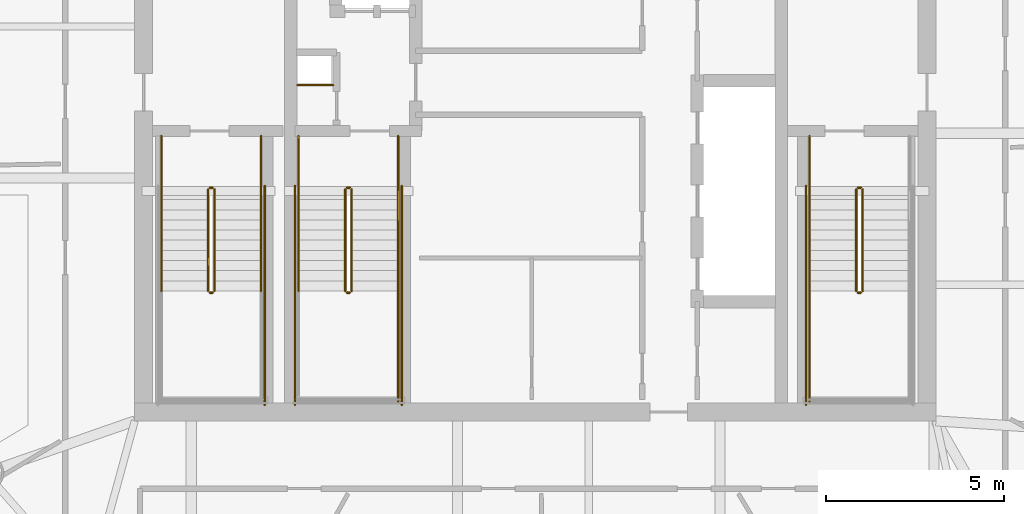
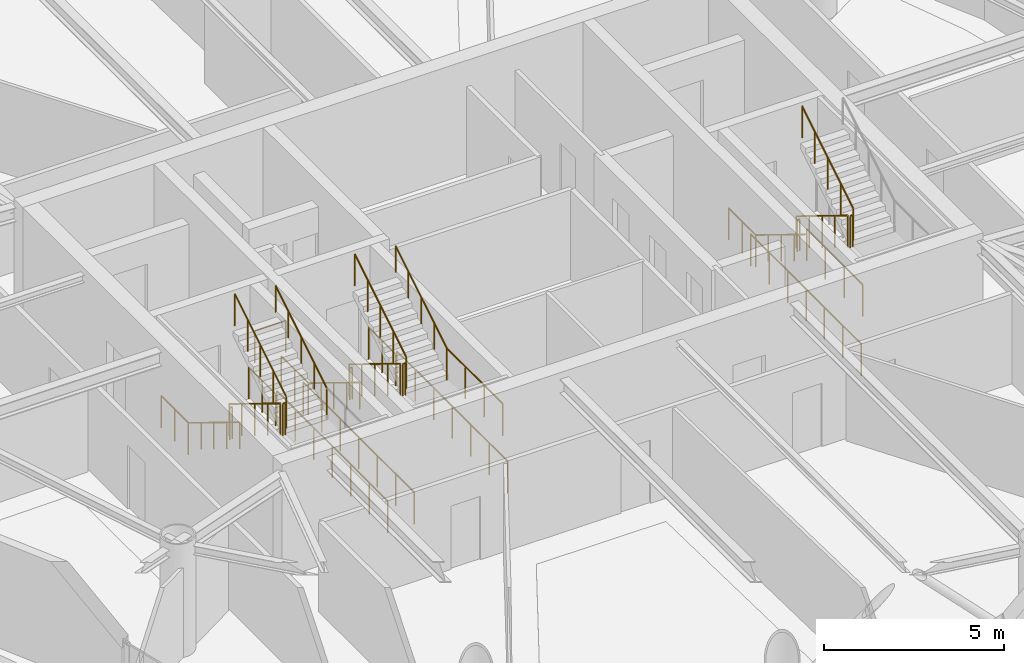
# One storey, part 15 of 16: 29 railings.
"""IFC4 building model written with IfcOpenShell, lengths in metres."""

import ifcopenshell
import ifcopenshell.guid

model = None  # the IFC model being written
_history = None  # IfcOwnerHistory: only IFC2X3 demands one
_inside = {}  # id of a spatial element -> (the spatial element, [elements in it])
_under = {}  # id of a project, library or spatial element -> (it, [spatial elements below it])
_declared = {}  # id of a project -> (the project, [libraries it declares])
_typed = {}  # id of a type object -> (the type object, [elements of that type])
_made_of = {}  # id of a material, layer set ... -> (it, [elements and type objects made of it])


def new_model(schema):
    """Start an empty IFC model of exactly this schema.

    Asked for "IFC4X3", IfcOpenShell would pick the latest addendum, in which some entities
    have other attributes; the version numbers below select the first issue.
    IFC2X3 requires an IfcOwnerHistory on every rooted entity: one is made here for all.
    """
    global model, _history
    if schema == "IFC4X3":
        model = ifcopenshell.file(schema_version=(4, 3, 0, 0))
    else:
        model = ifcopenshell.file(schema=schema)
    _inside.clear()
    _under.clear()
    _declared.clear()
    _typed.clear()
    _made_of.clear()
    _history = None
    if model.schema == "IFC2X3":
        org = make("IfcOrganization", Name="unknown")
        user = make(
            "IfcPersonAndOrganization",
            ThePerson=make("IfcPerson", FamilyName="unknown"),
            TheOrganization=org,
        )
        app = make(
            "IfcApplication",
            ApplicationDeveloper=org,
            Version="unknown",
            ApplicationFullName="unknown",
            ApplicationIdentifier="unknown",
        )
        _history = make(
            "IfcOwnerHistory",
            OwningUser=user,
            OwningApplication=app,
            ChangeAction="ADDED",
            CreationDate=0,
        )
    return model


def make(cls, **values):
    """One entity of the class cls with the attributes given. An attribute that is None is left unset."""
    return model.create_entity(
        cls, **{name: value for name, value in values.items() if value is not None}
    )


def rooted(cls, **values):
    """An entity with a GlobalId (a new one), such as an element, a storey or a relation."""
    return make(cls, GlobalId=ifcopenshell.guid.new(), OwnerHistory=_history, **values)


def si_unit(unit_type, name, prefix=None):
    """IfcSIUnit, for example si_unit("LENGTHUNIT", "METRE", prefix="MILLI")."""
    return make("IfcSIUnit", UnitType=unit_type, Prefix=prefix, Name=name)


def assignment(units):
    """IfcUnitAssignment: the units of a project."""
    return None if units is None else make("IfcUnitAssignment", Units=units)


def point(xyz):
    """IfcCartesianPoint."""
    return None if xyz is None else make("IfcCartesianPoint", Coordinates=xyz)


def direction(xyz):
    """IfcDirection."""
    return None if xyz is None else make("IfcDirection", DirectionRatios=xyz)


def frame(location, z_axis=None, x_axis=None):
    """IfcAxis2Placement3D, a coordinate frame: its origin and axes. An axis left out is left unset."""
    return make(
        "IfcAxis2Placement3D",
        Location=point(location),
        Axis=direction(z_axis),
        RefDirection=direction(x_axis),
    )


def frame_2d(location, x_axis=None):
    """IfcAxis2Placement2D, a coordinate frame in the plane: its origin and x axis."""
    return make(
        "IfcAxis2Placement2D", Location=point(location), RefDirection=direction(x_axis)
    )


def origin():
    """The frame at (0, 0, 0) with its axes left unset."""
    return frame((0.0, 0.0, 0.0))


def origin_2d():
    """The frame at (0, 0) in the plane with its x axis left unset."""
    return frame_2d((0.0, 0.0))


def place(relative_to, where):
    """IfcLocalPlacement: puts the frame where relative to a parent placement (None: the world)."""
    return make(
        "IfcLocalPlacement", PlacementRelTo=relative_to, RelativePlacement=where
    )


def context(
    kind, dimensions, precision=None, world=None, true_north=None, identifier=None
):
    """IfcGeometricRepresentationContext, for example the 3D "Model" context."""
    return make(
        "IfcGeometricRepresentationContext",
        ContextIdentifier=identifier,
        ContextType=kind,
        CoordinateSpaceDimension=dimensions,
        Precision=precision,
        WorldCoordinateSystem=world,
        TrueNorth=true_north,
    )


def subcontext(parent, identifier, kind, view, scale=None):
    """IfcGeometricRepresentationSubContext, for example "Body" below "Model"."""
    return make(
        "IfcGeometricRepresentationSubContext",
        ContextIdentifier=identifier,
        ContextType=kind,
        ParentContext=parent,
        TargetScale=scale,
        TargetView=view,
    )


def project(units=None, contexts=None):
    """IfcProject with its units and contexts."""
    return rooted(
        "IfcProject",
        Name="project",
        RepresentationContexts=contexts,
        UnitsInContext=assignment(units),
    )


def spatial(cls, under=None, at=None, **own):
    """A site, building, storey or space (cls), placed at a placement, below another one or the project."""
    s = rooted(cls, ObjectPlacement=at, **own)
    if under is not None:
        _under.setdefault(under.id(), (under, []))[1].append(s)
    return s


def profile(cls, at=None, kind="AREA", **sizes):
    """A parametric profile (cls). Its sizes go by their IFC names, for example OverallWidth=200.0."""
    return make(cls, ProfileType=kind, Position=at, **sizes)


def circle(**sizes):
    """IfcCircleProfileDef."""
    return profile("IfcCircleProfileDef", **sizes)


def extrude(swept, where, along, depth):
    """IfcExtrudedAreaSolid: the profile swept, set in the frame where, extruded along a direction by depth."""
    return make(
        "IfcExtrudedAreaSolid",
        SweptArea=swept,
        Position=where,
        ExtrudedDirection=direction(along),
        Depth=depth,
    )


def shape(context_of_items, identifier, shape_type, items):
    """IfcShapeRepresentation: the items that make up one representation, for example the "Body"."""
    return make(
        "IfcShapeRepresentation",
        ContextOfItems=context_of_items,
        RepresentationIdentifier=identifier,
        RepresentationType=shape_type,
        Items=items,
    )


def material(Name=None, Category=None):
    """IfcMaterial."""
    return make("IfcMaterial", Name=Name, Category=Category)


def made_of(thing, what):
    """Note that an element or type object is made of a material, layer set ...; save() writes the relation."""
    if what is not None:
        _made_of.setdefault(what.id(), (what, []))[1].append(thing)
    return thing


def type_object(cls, material=None, **own):
    """A type object (cls), such as IfcWallType, which elements share."""
    return made_of(rooted(cls, **own), material)


def element(
    cls,
    number,
    at=None,
    inside=None,
    cuts=None,
    type_object=None,
    material=None,
    context=None,
    identifier="Body",
    shape_type=None,
    held_by="IfcProductDefinitionShape",
    body=None,
    shapes=None,
    **own,
):
    """One element of the class cls, such as IfcWall. Its Tag is "e" and its number.

    at: its placement. inside: the storey or other place that contains it. cuts: it is an
    opening in that element (IfcRelVoidsElement). A single representation is given by context,
    identifier, shape_type and body (its items); several are given by shapes. held_by: the class
    of the entity that holds the representations. save() writes the other relations.
    """
    e = rooted(cls, Tag="e%d" % number, ObjectPlacement=at, **own)
    if body is not None:
        shapes = [shape(context, identifier, shape_type, body)]
    if shapes is not None:
        e.Representation = make(held_by, Representations=shapes)
    if inside is not None:
        _inside.setdefault(inside.id(), (inside, []))[1].append(e)
    if cuts is not None:
        rooted(
            "IfcRelVoidsElement", RelatingBuildingElement=cuts, RelatedOpeningElement=e
        )
    if type_object is not None:
        _typed.setdefault(type_object.id(), (type_object, []))[1].append(e)
    return made_of(e, material)


def aggregate(whole, parts):
    """IfcRelAggregates: a whole, such as a stair, and the parts it consists of."""
    return rooted("IfcRelAggregates", RelatingObject=whole, RelatedObjects=parts)


def save(model, path):
    """Write the relations noted so far, then the file.

    IfcRelAggregates (storeys below a building ...), IfcRelContainedInSpatialStructure (elements
    in a storey), IfcRelDefinesByType, IfcRelAssociatesMaterial and IfcRelDeclares: one each for
    every whole, place, type object, material and project.
    """
    for whole, parts in _under.values():
        aggregate(whole, parts)
    for where, things in _inside.values():
        rooted(
            "IfcRelContainedInSpatialStructure",
            RelatedElements=things,
            RelatingStructure=where,
        )
    for kind, things in _typed.values():
        rooted("IfcRelDefinesByType", RelatedObjects=things, RelatingType=kind)
    for what, things in _made_of.values():
        rooted("IfcRelAssociatesMaterial", RelatedObjects=things, RelatingMaterial=what)
    for by, libraries in _declared.values():
        rooted("IfcRelDeclares", RelatingContext=by, RelatedDefinitions=libraries)
    model.write(path)


model = new_model("IFC4")

# Units and contexts
model_context = context("Model", 3, precision=1e-05, world=origin(), true_north=direction((0.0, 1.0)))
body_context = subcontext(model_context, "Body", "Model", "MODEL_VIEW")
ifc_project = project(units=[si_unit("LENGTHUNIT", "METRE"), si_unit("AREAUNIT", "SQUARE_METRE"), si_unit("VOLUMEUNIT", "CUBIC_METRE"), si_unit("PLANEANGLEUNIT", "RADIAN"), si_unit("MASSUNIT", "GRAM", prefix="KILO")], contexts=[model_context])

# Site, building, storey
site_placement = place(None, origin())
site = spatial("IfcSite", under=ifc_project, at=site_placement, CompositionType="ELEMENT")
building_placement = place(site_placement, origin())
building = spatial("IfcBuilding", under=site, at=building_placement, Name="Bramvorn Convention Spire", CompositionType="ELEMENT")
storey_placement = place(building_placement, frame((0.0, 0.0, 261.300048828125)))
storey = spatial("IfcBuildingStorey", under=building, at=storey_placement, Name="L66", CompositionType="ELEMENT", Elevation=261.300048828125)

# Railings
ifc_material_1 = material(Name="Painted Steel Balustrade & Guardrail", Category="steel")
railing_type_1 = type_object("IfcRailingType", Name="RL-STAIR-GUARD-1100", PredefinedType="GUARDRAIL", material=ifc_material_1)
railing_1_placement = place(storey_placement, frame((28.81005859375, 25.050048828125, 0.175048828125)))
element("IfcRailing", 1, at=railing_1_placement, inside=storey, type_object=railing_type_1, Name="L66 ST1 stair guard 1", PredefinedType="GUARDRAIL", context=body_context, shape_type="SweptSolid", body=[
    extrude(circle(Radius=0.02392578125, at=origin_2d()), frame((0.0, 0.0, 1.076171875), z_axis=(0.0, -0.852179220489, 0.52325001306), x_axis=(1.0, 0.0, 0.0)), (0.0, 0.0, 1.0), 3.344482421875),
    extrude(circle(Radius=0.02099609375, at=origin_2d()), origin(), (0.0, 0.0, 1.0), 1.052001953125),
    extrude(circle(Radius=0.02099609375, at=origin_2d()), frame((0.0, -0.71240234375, 0.4375)), (0.0, 0.0, 1.0), 1.052001953125),
    extrude(circle(Radius=0.02099609375, at=origin_2d()), frame((0.0, -1.425048828125, 0.875)), (0.0, 0.0, 1.0), 1.052001953125),
    extrude(circle(Radius=0.02099609375, at=origin_2d()), frame((0.0, -2.1376953125, 1.3125)), (0.0, 0.0, 1.0), 1.052001953125),
    extrude(circle(Radius=0.02099609375, at=origin_2d()), frame((0.0, -2.85009765625, 1.75)), (0.0, 0.0, 1.0), 1.052001953125),
])
railing_2_placement = place(storey_placement, frame((28.860107421875, 22.14990234375, 1.925048828125)))
element("IfcRailing", 2, at=railing_2_placement, inside=storey, type_object=railing_type_1, Name="L66 ST1 stair guard 2", PredefinedType="GUARDRAIL", context=body_context, shape_type="SweptSolid", body=[
    extrude(circle(Radius=0.02392578125, at=origin_2d()), frame((0.0, 0.0, 1.076171875), z_axis=(1.0, 0.0, 0.0), x_axis=(0.0, 1.0, 0.0)), (0.0, 0.0, 1.0), 0.079833984375),
    extrude(circle(Radius=0.02099609375, at=origin_2d()), origin(), (0.0, 0.0, 1.0), 1.052001953125),
    extrude(circle(Radius=0.02099609375, at=origin_2d()), frame((0.079833984375, 0.0, 0.0)), (0.0, 0.0, 1.0), 1.052001953125),
])
railing_3_placement = place(storey_placement, frame((28.989990234375, 22.199951171875, 2.099853515625)))
element("IfcRailing", 3, at=railing_3_placement, inside=storey, type_object=railing_type_1, Name="L66 ST1 stair guard 6", PredefinedType="GUARDRAIL", context=body_context, shape_type="SweptSolid", body=[
    extrude(circle(Radius=0.02392578125, at=origin_2d()), frame((0.0, 0.0, 1.076171875), z_axis=(0.0, 0.852179220489, 0.52325001306), x_axis=(-1.0, 0.0, 0.0)), (0.0, 0.0, 1.0), 3.344482421875),
    extrude(circle(Radius=0.02099609375, at=origin_2d()), origin(), (0.0, 0.0, 1.0), 1.052001953125),
    extrude(circle(Radius=0.02099609375, at=origin_2d()), frame((0.0, 0.71240234375, 0.4375)), (0.0, 0.0, 1.0), 1.052001953125),
    extrude(circle(Radius=0.02099609375, at=origin_2d()), frame((0.0, 1.425048828125, 0.875)), (0.0, 0.0, 1.0), 1.052001953125),
    extrude(circle(Radius=0.02099609375, at=origin_2d()), frame((0.0, 2.1376953125, 1.3125)), (0.0, 0.0, 1.0), 1.052001953125),
    extrude(circle(Radius=0.02099609375, at=origin_2d()), frame((0.0, 2.85009765625, 1.75)), (0.0, 0.0, 1.0), 1.052001953125),
])
railing_4_placement = place(storey_placement, frame((28.860107421875, 25.10009765625, 0.0)))
element("IfcRailing", 4, at=railing_4_placement, inside=storey, type_object=railing_type_1, Name="L66 ST1 stair guard 7", PredefinedType="GUARDRAIL", context=body_context, shape_type="SweptSolid", body=[
    extrude(circle(Radius=0.02392578125, at=origin_2d()), frame((0.0, 0.0, 1.076171875), z_axis=(1.0, 0.0, 0.0), x_axis=(0.0, 1.0, 0.0)), (0.0, 0.0, 1.0), 0.079833984375),
    extrude(circle(Radius=0.02099609375, at=origin_2d()), origin(), (0.0, 0.0, 1.0), 1.052001953125),
    extrude(circle(Radius=0.02099609375, at=origin_2d()), frame((0.079833984375, 0.0, 0.0)), (0.0, 0.0, 1.0), 1.052001953125),
])
for number, where, name in (
    (5, (27.5, 26.550048828125, 0.0), "L66 ST1 stair guard 8"),
    (6, (30.300048828125, 26.550048828125, 0.0), "L66 ST1 stair guard 9"),
):
    element("IfcRailing", number, at=place(storey_placement, frame(where)), inside=storey, type_object=railing_type_1, Name=name, PredefinedType="GUARDRAIL", context=body_context, shape_type="SweptSolid", body=[
        extrude(circle(Radius=0.02392578125, at=origin_2d()), frame((0.0, 0.0, 1.076171875), z_axis=(0.0, -1.0, 0.0), x_axis=(1.0, 0.0, 0.0)), (0.0, 0.0, 1.0), 1.5),
        extrude(circle(Radius=0.02099609375, at=origin_2d()), origin(), (0.0, 0.0, 1.0), 1.052001953125),
        extrude(circle(Radius=0.02099609375, at=origin_2d()), frame((0.0, -0.75, 0.0)), (0.0, 0.0, 1.0), 1.052001953125),
        extrude(circle(Radius=0.02099609375, at=origin_2d()), frame((0.0, -1.5, 0.0)), (0.0, 0.0, 1.0), 1.052001953125),
    ])
railing_5_placement = place(storey_placement, frame((30.39990234375, 25.14990234375, 0.0)))
element("IfcRailing", 7, at=railing_5_placement, inside=storey, type_object=railing_type_1, Name="L66 ST1 stair guard 11", PredefinedType="GUARDRAIL", context=body_context, shape_type="SweptSolid", body=[
    extrude(circle(Radius=0.02392578125, at=origin_2d()), frame((0.0, 0.0, 1.076171875), z_axis=(0.0, -1.0, 0.0), x_axis=(1.0, 0.0, 0.0)), (0.0, 0.0, 1.0), 6.14990234375),
    extrude(circle(Radius=0.02099609375, at=origin_2d()), origin(), (0.0, 0.0, 1.0), 1.052001953125),
    extrude(circle(Radius=0.02099609375, at=origin_2d()), frame((0.0, -1.02490234375, 0.0)), (0.0, 0.0, 1.0), 1.052001953125),
    extrude(circle(Radius=0.02099609375, at=origin_2d()), frame((0.0, -2.050048828125, 0.0)), (0.0, 0.0, 1.0), 1.052001953125),
    extrude(circle(Radius=0.02099609375, at=origin_2d()), frame((0.0, -3.074951171875, 0.0)), (0.0, 0.0, 1.0), 1.052001953125),
    extrude(circle(Radius=0.02099609375, at=origin_2d()), frame((0.0, -4.099853515625, 0.0)), (0.0, 0.0, 1.0), 1.052001953125),
    extrude(circle(Radius=0.02099609375, at=origin_2d()), frame((0.0, -5.125, 0.0)), (0.0, 0.0, 1.0), 1.052001953125),
    extrude(circle(Radius=0.02099609375, at=origin_2d()), frame((0.0, -6.14990234375, 0.0)), (0.0, 0.0, 1.0), 1.052001953125),
])
railing_6_placement = place(storey_placement, frame((47.010009765625, 25.050048828125, 0.175048828125)))
element("IfcRailing", 8, at=railing_6_placement, inside=storey, type_object=railing_type_1, Name="L66 ST2 stair guard 1", PredefinedType="GUARDRAIL", context=body_context, shape_type="SweptSolid", body=[
    extrude(circle(Radius=0.02392578125, at=origin_2d()), frame((0.0, 0.0, 1.076171875), z_axis=(0.0, -0.852179220489, 0.52325001306), x_axis=(1.0, 0.0, 0.0)), (0.0, 0.0, 1.0), 3.344482421875),
    extrude(circle(Radius=0.02099609375, at=origin_2d()), origin(), (0.0, 0.0, 1.0), 1.052001953125),
    extrude(circle(Radius=0.02099609375, at=origin_2d()), frame((0.0, -0.71240234375, 0.4375)), (0.0, 0.0, 1.0), 1.052001953125),
    extrude(circle(Radius=0.02099609375, at=origin_2d()), frame((0.0, -1.425048828125, 0.875)), (0.0, 0.0, 1.0), 1.052001953125),
    extrude(circle(Radius=0.02099609375, at=origin_2d()), frame((0.0, -2.1376953125, 1.3125)), (0.0, 0.0, 1.0), 1.052001953125),
    extrude(circle(Radius=0.02099609375, at=origin_2d()), frame((0.0, -2.85009765625, 1.75)), (0.0, 0.0, 1.0), 1.052001953125),
])
railing_7_placement = place(storey_placement, frame((47.06005859375, 22.14990234375, 1.925048828125)))
element("IfcRailing", 9, at=railing_7_placement, inside=storey, type_object=railing_type_1, Name="L66 ST2 stair guard 2", PredefinedType="GUARDRAIL", context=body_context, shape_type="SweptSolid", body=[
    extrude(circle(Radius=0.02392578125, at=origin_2d()), frame((0.0, 0.0, 1.076171875), z_axis=(1.0, 0.0, 0.0), x_axis=(0.0, 1.0, 0.0)), (0.0, 0.0, 1.0), 0.079833984375),
    extrude(circle(Radius=0.02099609375, at=origin_2d()), origin(), (0.0, 0.0, 1.0), 1.052001953125),
    extrude(circle(Radius=0.02099609375, at=origin_2d()), frame((0.079833984375, 0.0, 0.0)), (0.0, 0.0, 1.0), 1.052001953125),
])
railing_8_placement = place(storey_placement, frame((45.699951171875, 22.199951171875, 1.925048828125)))
element("IfcRailing", 10, at=railing_8_placement, inside=storey, type_object=railing_type_1, Name="L66 ST2 stair guard 3", PredefinedType="GUARDRAIL", context=body_context, shape_type="SweptSolid", body=[
    extrude(circle(Radius=0.02392578125, at=origin_2d()), frame((0.0, 0.0, 1.076171875), z_axis=(0.0, -1.0, 0.0), x_axis=(1.0, 0.0, 0.0)), (0.0, 0.0, 1.0), 3.099853515625),
    extrude(circle(Radius=0.02099609375, at=origin_2d()), origin(), (0.0, 0.0, 1.0), 1.052001953125),
    extrude(circle(Radius=0.02099609375, at=origin_2d()), frame((0.0, -1.033203125, 0.0)), (0.0, 0.0, 1.0), 1.052001953125),
    extrude(circle(Radius=0.02099609375, at=origin_2d()), frame((0.0, -2.066650390625, 0.0)), (0.0, 0.0, 1.0), 1.052001953125),
    extrude(circle(Radius=0.02099609375, at=origin_2d()), frame((0.0, -3.099853515625, 0.0)), (0.0, 0.0, 1.0), 1.052001953125),
])
railing_9_placement = place(storey_placement, frame((47.18994140625, 22.199951171875, 2.099853515625)))
element("IfcRailing", 11, at=railing_9_placement, inside=storey, type_object=railing_type_1, Name="L66 ST2 stair guard 6", PredefinedType="GUARDRAIL", context=body_context, shape_type="SweptSolid", body=[
    extrude(circle(Radius=0.02392578125, at=origin_2d()), frame((0.0, 0.0, 1.076171875), z_axis=(0.0, 0.852179220489, 0.52325001306), x_axis=(-1.0, 0.0, 0.0)), (0.0, 0.0, 1.0), 3.344482421875),
    extrude(circle(Radius=0.02099609375, at=origin_2d()), origin(), (0.0, 0.0, 1.0), 1.052001953125),
    extrude(circle(Radius=0.02099609375, at=origin_2d()), frame((0.0, 0.71240234375, 0.4375)), (0.0, 0.0, 1.0), 1.052001953125),
    extrude(circle(Radius=0.02099609375, at=origin_2d()), frame((0.0, 1.425048828125, 0.875)), (0.0, 0.0, 1.0), 1.052001953125),
    extrude(circle(Radius=0.02099609375, at=origin_2d()), frame((0.0, 2.1376953125, 1.3125)), (0.0, 0.0, 1.0), 1.052001953125),
    extrude(circle(Radius=0.02099609375, at=origin_2d()), frame((0.0, 2.85009765625, 1.75)), (0.0, 0.0, 1.0), 1.052001953125),
])
railing_10_placement = place(storey_placement, frame((47.06005859375, 25.10009765625, 0.0)))
element("IfcRailing", 12, at=railing_10_placement, inside=storey, type_object=railing_type_1, Name="L66 ST2 stair guard 7", PredefinedType="GUARDRAIL", context=body_context, shape_type="SweptSolid", body=[
    extrude(circle(Radius=0.02392578125, at=origin_2d()), frame((0.0, 0.0, 1.076171875), z_axis=(1.0, 0.0, 0.0), x_axis=(0.0, 1.0, 0.0)), (0.0, 0.0, 1.0), 0.079833984375),
    extrude(circle(Radius=0.02099609375, at=origin_2d()), origin(), (0.0, 0.0, 1.0), 1.052001953125),
    extrude(circle(Radius=0.02099609375, at=origin_2d()), frame((0.079833984375, 0.0, 0.0)), (0.0, 0.0, 1.0), 1.052001953125),
])
railing_11_placement = place(storey_placement, frame((45.699951171875, 26.550048828125, 0.0)))
element("IfcRailing", 13, at=railing_11_placement, inside=storey, type_object=railing_type_1, Name="L66 ST2 stair guard 8", PredefinedType="GUARDRAIL", context=body_context, shape_type="SweptSolid", body=[
    extrude(circle(Radius=0.02392578125, at=origin_2d()), frame((0.0, 0.0, 1.076171875), z_axis=(0.0, -1.0, 0.0), x_axis=(1.0, 0.0, 0.0)), (0.0, 0.0, 1.0), 1.5),
    extrude(circle(Radius=0.02099609375, at=origin_2d()), origin(), (0.0, 0.0, 1.0), 1.052001953125),
    extrude(circle(Radius=0.02099609375, at=origin_2d()), frame((0.0, -0.75, 0.0)), (0.0, 0.0, 1.0), 1.052001953125),
    extrude(circle(Radius=0.02099609375, at=origin_2d()), frame((0.0, -1.5, 0.0)), (0.0, 0.0, 1.0), 1.052001953125),
])
railing_12_placement = place(storey_placement, frame((45.60009765625, 25.14990234375, 0.0)))
element("IfcRailing", 14, at=railing_12_placement, inside=storey, type_object=railing_type_1, Name="L66 ST2 stair guard 10", PredefinedType="GUARDRAIL", context=body_context, shape_type="SweptSolid", body=[
    extrude(circle(Radius=0.02392578125, at=origin_2d()), frame((0.0, 0.0, 1.076171875), z_axis=(0.0, -1.0, 0.0), x_axis=(1.0, 0.0, 0.0)), (0.0, 0.0, 1.0), 6.14990234375),
    extrude(circle(Radius=0.02099609375, at=origin_2d()), origin(), (0.0, 0.0, 1.0), 1.052001953125),
    extrude(circle(Radius=0.02099609375, at=origin_2d()), frame((0.0, -1.02490234375, 0.0)), (0.0, 0.0, 1.0), 1.052001953125),
    extrude(circle(Radius=0.02099609375, at=origin_2d()), frame((0.0, -2.050048828125, 0.0)), (0.0, 0.0, 1.0), 1.052001953125),
    extrude(circle(Radius=0.02099609375, at=origin_2d()), frame((0.0, -3.074951171875, 0.0)), (0.0, 0.0, 1.0), 1.052001953125),
    extrude(circle(Radius=0.02099609375, at=origin_2d()), frame((0.0, -4.099853515625, 0.0)), (0.0, 0.0, 1.0), 1.052001953125),
    extrude(circle(Radius=0.02099609375, at=origin_2d()), frame((0.0, -5.125, 0.0)), (0.0, 0.0, 1.0), 1.052001953125),
    extrude(circle(Radius=0.02099609375, at=origin_2d()), frame((0.0, -6.14990234375, 0.0)), (0.0, 0.0, 1.0), 1.052001953125),
])
railing_13_placement = place(storey_placement, frame((32.659912109375, 25.050048828125, 0.175048828125)))
element("IfcRailing", 15, at=railing_13_placement, inside=storey, type_object=railing_type_1, Name="L66 ST3 stair guard 1", PredefinedType="GUARDRAIL", context=body_context, shape_type="SweptSolid", body=[
    extrude(circle(Radius=0.02392578125, at=origin_2d()), frame((0.0, 0.0, 1.076171875), z_axis=(0.0, -0.852179220489, 0.52325001306), x_axis=(1.0, 0.0, 0.0)), (0.0, 0.0, 1.0), 3.344482421875),
    extrude(circle(Radius=0.02099609375, at=origin_2d()), origin(), (0.0, 0.0, 1.0), 1.052001953125),
    extrude(circle(Radius=0.02099609375, at=origin_2d()), frame((0.0, -0.71240234375, 0.4375)), (0.0, 0.0, 1.0), 1.052001953125),
    extrude(circle(Radius=0.02099609375, at=origin_2d()), frame((0.0, -1.425048828125, 0.875)), (0.0, 0.0, 1.0), 1.052001953125),
    extrude(circle(Radius=0.02099609375, at=origin_2d()), frame((0.0, -2.1376953125, 1.3125)), (0.0, 0.0, 1.0), 1.052001953125),
    extrude(circle(Radius=0.02099609375, at=origin_2d()), frame((0.0, -2.85009765625, 1.75)), (0.0, 0.0, 1.0), 1.052001953125),
])
railing_14_placement = place(storey_placement, frame((32.7099609375, 22.14990234375, 1.925048828125)))
element("IfcRailing", 16, at=railing_14_placement, inside=storey, type_object=railing_type_1, Name="L66 ST3 stair guard 2", PredefinedType="GUARDRAIL", context=body_context, shape_type="SweptSolid", body=[
    extrude(circle(Radius=0.02392578125, at=origin_2d()), frame((0.0, 0.0, 1.076171875), z_axis=(1.0, 0.0, 0.0), x_axis=(0.0, 1.0, 0.0)), (0.0, 0.0, 1.0), 0.080078125),
    extrude(circle(Radius=0.02099609375, at=origin_2d()), origin(), (0.0, 0.0, 1.0), 1.052001953125),
    extrude(circle(Radius=0.02099609375, at=origin_2d()), frame((0.080078125, 0.0, 0.0)), (0.0, 0.0, 1.0), 1.052001953125),
])
railing_15_placement = place(storey_placement, frame((34.14990234375, 22.199951171875, 1.925048828125)))
element("IfcRailing", 17, at=railing_15_placement, inside=storey, type_object=railing_type_1, Name="L66 ST3 stair guard 4", PredefinedType="GUARDRAIL", context=body_context, shape_type="SweptSolid", body=[
    extrude(circle(Radius=0.02392578125, at=origin_2d()), frame((0.0, 0.0, 1.076171875), z_axis=(0.0, -1.0, 0.0), x_axis=(1.0, 0.0, 0.0)), (0.0, 0.0, 1.0), 3.099853515625),
    extrude(circle(Radius=0.02099609375, at=origin_2d()), origin(), (0.0, 0.0, 1.0), 1.052001953125),
    extrude(circle(Radius=0.02099609375, at=origin_2d()), frame((0.0, -1.033203125, 0.0)), (0.0, 0.0, 1.0), 1.052001953125),
    extrude(circle(Radius=0.02099609375, at=origin_2d()), frame((0.0, -2.066650390625, 0.0)), (0.0, 0.0, 1.0), 1.052001953125),
    extrude(circle(Radius=0.02099609375, at=origin_2d()), frame((0.0, -3.099853515625, 0.0)), (0.0, 0.0, 1.0), 1.052001953125),
])
railing_16_placement = place(storey_placement, frame((32.840087890625, 22.199951171875, 2.099853515625)))
element("IfcRailing", 18, at=railing_16_placement, inside=storey, type_object=railing_type_1, Name="L66 ST3 stair guard 6", PredefinedType="GUARDRAIL", context=body_context, shape_type="SweptSolid", body=[
    extrude(circle(Radius=0.02392578125, at=origin_2d()), frame((0.0, 0.0, 1.076171875), z_axis=(0.0, 0.852179220489, 0.52325001306), x_axis=(-1.0, 0.0, 0.0)), (0.0, 0.0, 1.0), 3.344482421875),
    extrude(circle(Radius=0.02099609375, at=origin_2d()), origin(), (0.0, 0.0, 1.0), 1.052001953125),
    extrude(circle(Radius=0.02099609375, at=origin_2d()), frame((0.0, 0.71240234375, 0.4375)), (0.0, 0.0, 1.0), 1.052001953125),
    extrude(circle(Radius=0.02099609375, at=origin_2d()), frame((0.0, 1.425048828125, 0.875)), (0.0, 0.0, 1.0), 1.052001953125),
    extrude(circle(Radius=0.02099609375, at=origin_2d()), frame((0.0, 2.1376953125, 1.3125)), (0.0, 0.0, 1.0), 1.052001953125),
    extrude(circle(Radius=0.02099609375, at=origin_2d()), frame((0.0, 2.85009765625, 1.75)), (0.0, 0.0, 1.0), 1.052001953125),
])
railing_17_placement = place(storey_placement, frame((32.7099609375, 25.10009765625, 0.0)))
element("IfcRailing", 19, at=railing_17_placement, inside=storey, type_object=railing_type_1, Name="L66 ST3 stair guard 7", PredefinedType="GUARDRAIL", context=body_context, shape_type="SweptSolid", body=[
    extrude(circle(Radius=0.02392578125, at=origin_2d()), frame((0.0, 0.0, 1.076171875), z_axis=(1.0, 0.0, 0.0), x_axis=(0.0, 1.0, 0.0)), (0.0, 0.0, 1.0), 0.080078125),
    extrude(circle(Radius=0.02099609375, at=origin_2d()), origin(), (0.0, 0.0, 1.0), 1.052001953125),
    extrude(circle(Radius=0.02099609375, at=origin_2d()), frame((0.080078125, 0.0, 0.0)), (0.0, 0.0, 1.0), 1.052001953125),
])
for number, where, name in (
    (20, (31.35009765625, 26.550048828125, 0.0), "L66 ST3 stair guard 8"),
    (21, (34.14990234375, 26.550048828125, 0.0), "L66 ST3 stair guard 9"),
):
    element("IfcRailing", number, at=place(storey_placement, frame(where)), inside=storey, type_object=railing_type_1, Name=name, PredefinedType="GUARDRAIL", context=body_context, shape_type="SweptSolid", body=[
        extrude(circle(Radius=0.02392578125, at=origin_2d()), frame((0.0, 0.0, 1.076171875), z_axis=(0.0, -1.0, 0.0), x_axis=(1.0, 0.0, 0.0)), (0.0, 0.0, 1.0), 1.5),
        extrude(circle(Radius=0.02099609375, at=origin_2d()), origin(), (0.0, 0.0, 1.0), 1.052001953125),
        extrude(circle(Radius=0.02099609375, at=origin_2d()), frame((0.0, -0.75, 0.0)), (0.0, 0.0, 1.0), 1.052001953125),
        extrude(circle(Radius=0.02099609375, at=origin_2d()), frame((0.0, -1.5, 0.0)), (0.0, 0.0, 1.0), 1.052001953125),
    ])
for number, where, name in (
    (22, (31.25, 25.14990234375, 0.0), "L66 ST3 stair guard 10"),
    (23, (34.25, 25.14990234375, 0.0), "L66 ST3 stair guard 11"),
):
    element("IfcRailing", number, at=place(storey_placement, frame(where)), inside=storey, type_object=railing_type_1, Name=name, PredefinedType="GUARDRAIL", context=body_context, shape_type="SweptSolid", body=[
        extrude(circle(Radius=0.02392578125, at=origin_2d()), frame((0.0, 0.0, 1.076171875), z_axis=(0.0, -1.0, 0.0), x_axis=(1.0, 0.0, 0.0)), (0.0, 0.0, 1.0), 6.14990234375),
        extrude(circle(Radius=0.02099609375, at=origin_2d()), origin(), (0.0, 0.0, 1.0), 1.052001953125),
        extrude(circle(Radius=0.02099609375, at=origin_2d()), frame((0.0, -1.02490234375, 0.0)), (0.0, 0.0, 1.0), 1.052001953125),
        extrude(circle(Radius=0.02099609375, at=origin_2d()), frame((0.0, -2.050048828125, 0.0)), (0.0, 0.0, 1.0), 1.052001953125),
        extrude(circle(Radius=0.02099609375, at=origin_2d()), frame((0.0, -3.074951171875, 0.0)), (0.0, 0.0, 1.0), 1.052001953125),
        extrude(circle(Radius=0.02099609375, at=origin_2d()), frame((0.0, -4.099853515625, 0.0)), (0.0, 0.0, 1.0), 1.052001953125),
        extrude(circle(Radius=0.02099609375, at=origin_2d()), frame((0.0, -5.125, 0.0)), (0.0, 0.0, 1.0), 1.052001953125),
        extrude(circle(Radius=0.02099609375, at=origin_2d()), frame((0.0, -6.14990234375, 0.0)), (0.0, 0.0, 1.0), 1.052001953125),
    ])
railing_18_placement = place(storey_placement, frame((31.320068359375, 27.97998046875, 0.0)))
element("IfcRailing", 24, at=railing_18_placement, inside=storey, type_object=railing_type_1, Name="L66 Telecom riser shaft opening safety guardrail", PredefinedType="GUARDRAIL", context=body_context, shape_type="SweptSolid", body=[
    extrude(circle(Radius=0.02392578125, at=origin_2d()), frame((0.0, 0.0, 1.076171875), z_axis=(1.0, 0.0, 0.0), x_axis=(0.0, 1.0, 0.0)), (0.0, 0.0, 1.0), 1.0),
    extrude(circle(Radius=0.02099609375, at=origin_2d()), origin(), (0.0, 0.0, 1.0), 1.052001953125),
    extrude(circle(Radius=0.02099609375, at=origin_2d()), frame((1.0, 0.0, 0.0)), (0.0, 0.0, 1.0), 1.052001953125),
])
ifc_material_2 = material(Name="Brushed Bronze Tubular Handrail", Category="aluminium")
railing_type_2 = type_object("IfcRailingType", Name="RL-STAIR-HR-920", PredefinedType="HANDRAIL", material=ifc_material_2)
railing_19_placement = place(storey_placement, frame((27.5, 25.050048828125, 0.175048828125)))
element("IfcRailing", 25, at=railing_19_placement, inside=storey, type_object=railing_type_2, Name="L66 ST1 stair handrail 1", PredefinedType="HANDRAIL", context=body_context, shape_type="SweptSolid", body=[
    extrude(circle(Radius=0.02392578125, at=origin_2d()), frame((0.0, 0.0, 0.89599609375), z_axis=(0.0, -0.852179220489, 0.52325001306), x_axis=(1.0, 0.0, 0.0)), (0.0, 0.0, 1.0), 3.344482421875),
    extrude(circle(Radius=0.02099609375, at=origin_2d()), origin(), (0.0, 0.0, 1.0), 0.871826171875),
    extrude(circle(Radius=0.02099609375, at=origin_2d()), frame((0.0, -0.71240234375, 0.4375)), (0.0, 0.0, 1.0), 0.871826171875),
    extrude(circle(Radius=0.02099609375, at=origin_2d()), frame((0.0, -1.425048828125, 0.875)), (0.0, 0.0, 1.0), 0.871826171875),
    extrude(circle(Radius=0.02099609375, at=origin_2d()), frame((0.0, -2.1376953125, 1.3125)), (0.0, 0.0, 1.0), 0.871826171875),
    extrude(circle(Radius=0.02099609375, at=origin_2d()), frame((0.0, -2.85009765625, 1.75)), (0.0, 0.0, 1.0), 0.871826171875),
])
railing_20_placement = place(storey_placement, frame((30.300048828125, 22.199951171875, 2.099853515625)))
element("IfcRailing", 26, at=railing_20_placement, inside=storey, type_object=railing_type_2, Name="L66 ST1 stair handrail 2", PredefinedType="HANDRAIL", context=body_context, shape_type="SweptSolid", body=[
    extrude(circle(Radius=0.02392578125, at=origin_2d()), frame((0.0, 0.0, 0.89599609375), z_axis=(0.0, 0.852179220489, 0.52325001306), x_axis=(-1.0, 0.0, 0.0)), (0.0, 0.0, 1.0), 3.344482421875),
    extrude(circle(Radius=0.02099609375, at=origin_2d()), origin(), (0.0, 0.0, 1.0), 0.871826171875),
    extrude(circle(Radius=0.02099609375, at=origin_2d()), frame((0.0, 0.71240234375, 0.4375)), (0.0, 0.0, 1.0), 0.871826171875),
    extrude(circle(Radius=0.02099609375, at=origin_2d()), frame((0.0, 1.425048828125, 0.875)), (0.0, 0.0, 1.0), 0.871826171875),
    extrude(circle(Radius=0.02099609375, at=origin_2d()), frame((0.0, 2.1376953125, 1.3125)), (0.0, 0.0, 1.0), 0.871826171875),
    extrude(circle(Radius=0.02099609375, at=origin_2d()), frame((0.0, 2.85009765625, 1.75)), (0.0, 0.0, 1.0), 0.871826171875),
])
for number, where, name in (
    (27, (45.699951171875, 25.050048828125, 0.175048828125), "L66 ST2 stair handrail 1"),
    (28, (31.35009765625, 25.050048828125, 0.175048828125), "L66 ST3 stair handrail 1"),
):
    element("IfcRailing", number, at=place(storey_placement, frame(where)), inside=storey, type_object=railing_type_2, Name=name, PredefinedType="HANDRAIL", context=body_context, shape_type="SweptSolid", body=[
        extrude(circle(Radius=0.02392578125, at=origin_2d()), frame((0.0, 0.0, 0.89599609375), z_axis=(0.0, -0.852179220489, 0.52325001306), x_axis=(1.0, 0.0, 0.0)), (0.0, 0.0, 1.0), 3.344482421875),
        extrude(circle(Radius=0.02099609375, at=origin_2d()), origin(), (0.0, 0.0, 1.0), 0.871826171875),
        extrude(circle(Radius=0.02099609375, at=origin_2d()), frame((0.0, -0.71240234375, 0.4375)), (0.0, 0.0, 1.0), 0.871826171875),
        extrude(circle(Radius=0.02099609375, at=origin_2d()), frame((0.0, -1.425048828125, 0.875)), (0.0, 0.0, 1.0), 0.871826171875),
        extrude(circle(Radius=0.02099609375, at=origin_2d()), frame((0.0, -2.1376953125, 1.3125)), (0.0, 0.0, 1.0), 0.871826171875),
        extrude(circle(Radius=0.02099609375, at=origin_2d()), frame((0.0, -2.85009765625, 1.75)), (0.0, 0.0, 1.0), 0.871826171875),
    ])
railing_21_placement = place(storey_placement, frame((34.14990234375, 22.199951171875, 2.099853515625)))
element("IfcRailing", 29, at=railing_21_placement, inside=storey, type_object=railing_type_2, Name="L66 ST3 stair handrail 2", PredefinedType="HANDRAIL", context=body_context, shape_type="SweptSolid", body=[
    extrude(circle(Radius=0.02392578125, at=origin_2d()), frame((0.0, 0.0, 0.89599609375), z_axis=(0.0, 0.852179220489, 0.52325001306), x_axis=(-1.0, 0.0, 0.0)), (0.0, 0.0, 1.0), 3.344482421875),
    extrude(circle(Radius=0.02099609375, at=origin_2d()), origin(), (0.0, 0.0, 1.0), 0.871826171875),
    extrude(circle(Radius=0.02099609375, at=origin_2d()), frame((0.0, 0.71240234375, 0.4375)), (0.0, 0.0, 1.0), 0.871826171875),
    extrude(circle(Radius=0.02099609375, at=origin_2d()), frame((0.0, 1.425048828125, 0.875)), (0.0, 0.0, 1.0), 0.871826171875),
    extrude(circle(Radius=0.02099609375, at=origin_2d()), frame((0.0, 2.1376953125, 1.3125)), (0.0, 0.0, 1.0), 0.871826171875),
    extrude(circle(Radius=0.02099609375, at=origin_2d()), frame((0.0, 2.85009765625, 1.75)), (0.0, 0.0, 1.0), 0.871826171875),
])

save(model, "model.ifc")
